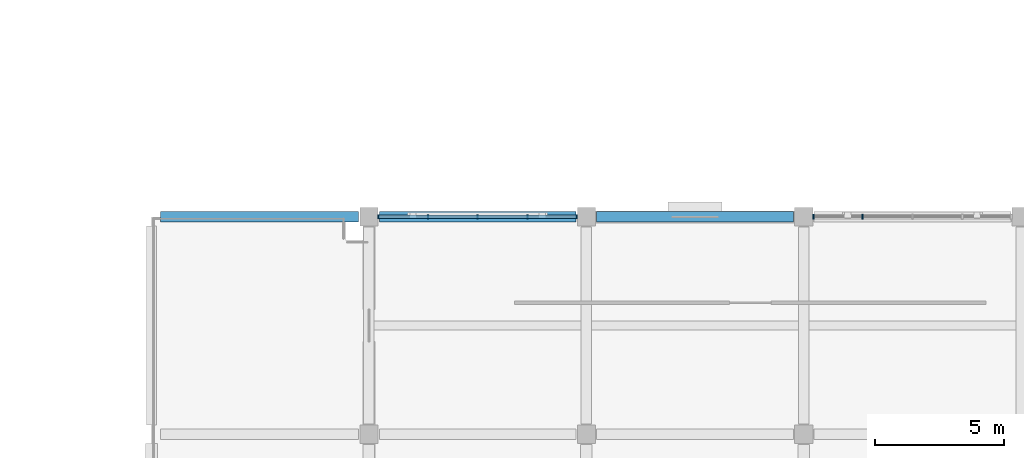
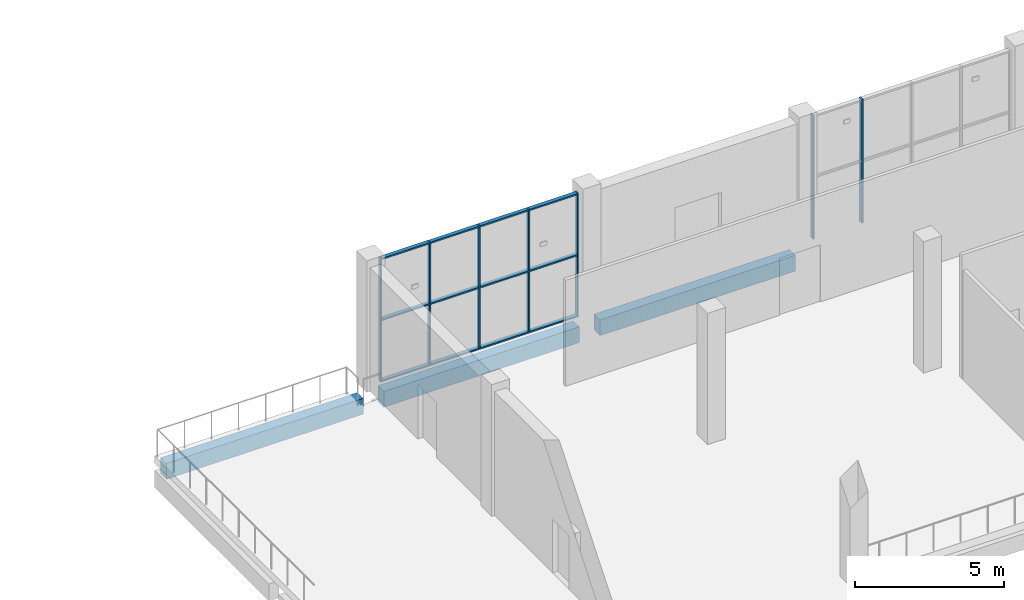
# One storey, part 40 of 83: 10 members, 3 beams, 2 elements without a shape of their own.
"""IFC4 building model written with IfcOpenShell, lengths in metres."""

from ifc_helpers import new_model, si_unit, direction, frame, origin, origin_2d, place, context, subcontext, project, spatial, rectangle, extrude, material, material_profile, profile_set, type_object, element, aggregate, save


model = new_model("IFC4")

# Units and contexts
model_context = context("Model", 3, precision=1e-05, world=origin(), true_north=direction((0.0, 1.0)))
body_context = subcontext(model_context, "Body", "Model", "MODEL_VIEW")
ifc_project = project(units=[si_unit("LENGTHUNIT", "METRE"), si_unit("AREAUNIT", "SQUARE_METRE"), si_unit("VOLUMEUNIT", "CUBIC_METRE"), si_unit("PLANEANGLEUNIT", "RADIAN"), si_unit("MASSUNIT", "GRAM", prefix="KILO")], contexts=[model_context])

# Site, building, storey
site_placement = place(None, origin())
site = spatial("IfcSite", under=ifc_project, at=site_placement, CompositionType="ELEMENT")
building_placement = place(site_placement, origin())
building = spatial("IfcBuilding", under=site, at=building_placement, Name="Shalvenor Court Art Gallery", CompositionType="ELEMENT")
storey_placement = place(building_placement, frame((0.0, 0.0, 6.0)))
storey = spatial("IfcBuildingStorey", under=building, at=storey_placement, Name="L01", CompositionType="ELEMENT", Elevation=6.0)

# Beams
ifc_material_1 = material(Name="Concrete C40/50", Category="concrete")
ifc_material_profile_1 = material_profile(ifc_material_1, rectangle(XDim=0.39990234375, YDim=0.64990234375, at=origin_2d()), Name="RC 400x650")
ifc_profile_set_1 = profile_set([ifc_material_profile_1], Name="Concrete C40/50")
beam_type = type_object("IfcBeamType", Name="B-06", PredefinedType="BEAM", material=ifc_profile_set_1)
beam_1_placement = place(storey_placement, frame((134.75, 97.199951171875, -0.64501953125), z_axis=(1.0, 0.0, 0.0), x_axis=(0.0, 1.0, 0.0)))
element("IfcBeam", 1, at=beam_1_placement, inside=storey, type_object=beam_type, Name="L01 Girder BM-L01-B-06-0590", PredefinedType="BEAM", context=body_context, shape_type="SweptSolid", body=[
    extrude(rectangle(XDim=0.39990234375, YDim=0.64990234375, at=origin_2d()), origin(), (0.0, 0.0, 1.0), 7.64990234375),
])
beam_2_placement = place(storey_placement, frame((143.199951171875, 97.199951171875, -0.64501953125), z_axis=(1.0, 0.0, 0.0), x_axis=(0.0, 1.0, 0.0)))
element("IfcBeam", 2, at=beam_2_placement, inside=storey, type_object=beam_type, Name="L01 Girder BM-L01-B-06-0591", PredefinedType="BEAM", context=body_context, shape_type="SweptSolid", body=[
    extrude(rectangle(XDim=0.39990234375, YDim=0.64990234375, at=origin_2d()), origin(), (0.0, 0.0, 1.0), 7.60009765625),
])
beam_3_placement = place(storey_placement, frame((151.60009765625, 97.199951171875, -0.64501953125), z_axis=(1.0, 0.0, 0.0), x_axis=(0.0, 1.0, 0.0)))
element("IfcBeam", 3, at=beam_3_placement, inside=storey, type_object=beam_type, Name="L01 Girder BM-L01-B-06-0592", PredefinedType="BEAM", context=body_context, shape_type="SweptSolid", body=[
    extrude(rectangle(XDim=0.39990234375, YDim=0.64990234375, at=origin_2d()), origin(), (0.0, 0.0, 1.0), 7.599853515625),
])

# Curtain wall, members
ifc_material_2 = material(Name="Anodised aluminium and low-iron glass curtain wall", Category="aluminium")
curtain_wall_type_1 = type_object("IfcCurtainWallType", Name="CW-4x2-77-51-122", PredefinedType="USERDEFINED", material=ifc_material_2)
curtain_wall_1_placement = place(storey_placement, origin())
curtain_wall_1 = element("IfcCurtainWall", 4, at=curtain_wall_1_placement, inside=storey, type_object=curtain_wall_type_1, Name="L01 V1 Curtain Wall CW-L01-004", ObjectType="CURTAIN WALL", PredefinedType="USERDEFINED")
ifc_material_3 = material(Name="Anodised aluminium mullion", Category="aluminium")
ifc_material_profile_2 = material_profile(ifc_material_3, rectangle(XDim=0.06494140625, YDim=0.179931640625, at=origin_2d()), Name="CWM-01")
ifc_profile_set_2 = profile_set([ifc_material_profile_2], Name="Anodised aluminium mullion")
member_type_1 = type_object("IfcMemberType", Name="CWM-01", PredefinedType="MULLION", material=ifc_profile_set_2)
member_1_placement = place(storey_placement, frame((159.982421875, 97.199951171875, 0.0), z_axis=(0.0, 0.0, 1.0), x_axis=(1.0, 0.0, 0.0)))
member_1 = element("IfcMember", 5, at=member_1_placement, type_object=member_type_1, Name="CW-4x2-77-51-122 mullion 1", PredefinedType="MULLION", context=body_context, shape_type="SweptSolid", body=[
    extrude(rectangle(XDim=0.06494140625, YDim=0.179931640625, at=origin_2d()), origin(), (0.0, 0.0, 1.0), 5.080078125),
])
member_2_placement = place(storey_placement, frame((161.875, 97.199951171875, 0.0), z_axis=(0.0, 0.0, 1.0), x_axis=(1.0, 0.0, 0.0)))
member_2 = element("IfcMember", 6, at=member_2_placement, type_object=member_type_1, Name="CW-4x2-77-51-122 mullion 2", PredefinedType="MULLION", context=body_context, shape_type="SweptSolid", body=[
    extrude(rectangle(XDim=0.06494140625, YDim=0.179931640625, at=origin_2d()), origin(), (0.0, 0.0, 1.0), 5.080078125),
])
aggregate(curtain_wall_1, [member_1, member_2])

ifc_material_4 = material(Name="Anodised aluminium and low-iron glass curtain wall", Category="aluminium")
curtain_wall_type_2 = type_object("IfcCurtainWallType", Name="CW-4x2-77-51-612", PredefinedType="USERDEFINED", material=ifc_material_4)
curtain_wall_2_placement = place(storey_placement, origin())
curtain_wall_2 = element("IfcCurtainWall", 7, at=curtain_wall_2_placement, inside=storey, type_object=curtain_wall_type_2, Name="L01 V1 Curtain Wall CW-L01-003", ObjectType="CURTAIN WALL", PredefinedType="USERDEFINED")
ifc_material_5 = material(Name="Anodised aluminium mullion", Category="aluminium")
ifc_material_profile_3 = material_profile(ifc_material_5, rectangle(XDim=0.054931640625, YDim=0.139892578125, at=origin_2d()), Name="CWM-06")
ifc_profile_set_3 = profile_set([ifc_material_profile_3], Name="Anodised aluminium mullion")
member_type_2 = type_object("IfcMemberType", Name="CWM-06", PredefinedType="MULLION", material=ifc_profile_set_3)
member_3_placement = place(storey_placement, frame((143.177490234375, 97.199951171875, 0.0), z_axis=(0.0, 0.0, 1.0), x_axis=(1.0, 0.0, 0.0)))
member_3 = element("IfcMember", 8, at=member_3_placement, type_object=member_type_2, Name="CW-4x2-77-51-612 mullion 1", PredefinedType="MULLION", context=body_context, shape_type="SweptSolid", body=[
    extrude(rectangle(XDim=0.054931640625, YDim=0.139892578125, at=origin_2d()), origin(), (0.0, 0.0, 1.0), 5.080078125),
])
member_4_placement = place(storey_placement, frame((145.074951171875, 97.199951171875, 0.0), z_axis=(0.0, 0.0, 1.0), x_axis=(1.0, 0.0, 0.0)))
member_4 = element("IfcMember", 9, at=member_4_placement, type_object=member_type_2, Name="CW-4x2-77-51-612 mullion 2", PredefinedType="MULLION", context=body_context, shape_type="SweptSolid", body=[
    extrude(rectangle(XDim=0.054931640625, YDim=0.139892578125, at=origin_2d()), origin(), (0.0, 0.0, 1.0), 5.080078125),
])
member_5_placement = place(storey_placement, frame((147.0, 97.199951171875, 0.0), z_axis=(0.0, 0.0, 1.0), x_axis=(1.0, 0.0, 0.0)))
member_5 = element("IfcMember", 10, at=member_5_placement, type_object=member_type_2, Name="CW-4x2-77-51-612 mullion 3", PredefinedType="MULLION", context=body_context, shape_type="SweptSolid", body=[
    extrude(rectangle(XDim=0.054931640625, YDim=0.139892578125, at=origin_2d()), origin(), (0.0, 0.0, 1.0), 5.080078125),
])
member_6_placement = place(storey_placement, frame((148.925048828125, 97.199951171875, 0.0), z_axis=(0.0, 0.0, 1.0), x_axis=(1.0, 0.0, 0.0)))
member_6 = element("IfcMember", 11, at=member_6_placement, type_object=member_type_2, Name="CW-4x2-77-51-612 mullion 4", PredefinedType="MULLION", context=body_context, shape_type="SweptSolid", body=[
    extrude(rectangle(XDim=0.054931640625, YDim=0.139892578125, at=origin_2d()), origin(), (0.0, 0.0, 1.0), 5.080078125),
])
member_7_placement = place(storey_placement, frame((150.822509765625, 97.199951171875, 0.0), z_axis=(0.0, 0.0, 1.0), x_axis=(1.0, 0.0, 0.0)))
member_7 = element("IfcMember", 12, at=member_7_placement, type_object=member_type_2, Name="CW-4x2-77-51-612 mullion 5", PredefinedType="MULLION", context=body_context, shape_type="SweptSolid", body=[
    extrude(rectangle(XDim=0.054931640625, YDim=0.139892578125, at=origin_2d()), origin(), (0.0, 0.0, 1.0), 5.080078125),
])
ifc_material_6 = material(Name="Anodised aluminium transom", Category="aluminium")
ifc_material_profile_4 = material_profile(ifc_material_6, rectangle(XDim=0.14990234375, YDim=0.06005859375, at=origin_2d()), Name="CWT-01")
ifc_profile_set_4 = profile_set([ifc_material_profile_4], Name="Anodised aluminium transom")
member_type_3 = type_object("IfcMemberType", Name="CWT-01", PredefinedType="USERDEFINED", material=ifc_profile_set_4)
member_8_placement = place(storey_placement, frame((143.177490234375, 97.199951171875, 0.030029296875), z_axis=(1.0, 0.0, 0.0), x_axis=(0.0, 1.0, 0.0)))
member_8 = element("IfcMember", 13, at=member_8_placement, type_object=member_type_3, Name="CW-4x2-77-51-612 transom 1", ObjectType="TRANSOM", PredefinedType="USERDEFINED", context=body_context, shape_type="SweptSolid", body=[
    extrude(rectangle(XDim=0.14990234375, YDim=0.06005859375, at=origin_2d()), origin(), (0.0, 0.0, 1.0), 7.64501953125),
])
member_9_placement = place(storey_placement, frame((143.177490234375, 97.199951171875, 2.5400390625), z_axis=(1.0, 0.0, 0.0), x_axis=(0.0, 1.0, 0.0)))
member_9 = element("IfcMember", 14, at=member_9_placement, type_object=member_type_3, Name="CW-4x2-77-51-612 transom 2", ObjectType="TRANSOM", PredefinedType="USERDEFINED", context=body_context, shape_type="SweptSolid", body=[
    extrude(rectangle(XDim=0.14990234375, YDim=0.06005859375, at=origin_2d()), origin(), (0.0, 0.0, 1.0), 7.64501953125),
])
member_10_placement = place(storey_placement, frame((143.177490234375, 97.199951171875, 5.050048828125), z_axis=(1.0, 0.0, 0.0), x_axis=(0.0, 1.0, 0.0)))
member_10 = element("IfcMember", 15, at=member_10_placement, type_object=member_type_3, Name="CW-4x2-77-51-612 transom 3", ObjectType="TRANSOM", PredefinedType="USERDEFINED", context=body_context, shape_type="SweptSolid", body=[
    extrude(rectangle(XDim=0.14990234375, YDim=0.06005859375, at=origin_2d()), origin(), (0.0, 0.0, 1.0), 7.64501953125),
])
aggregate(curtain_wall_2, [member_3, member_4, member_5, member_6, member_7, member_8, member_9, member_10])

save(model, "model.ifc")
